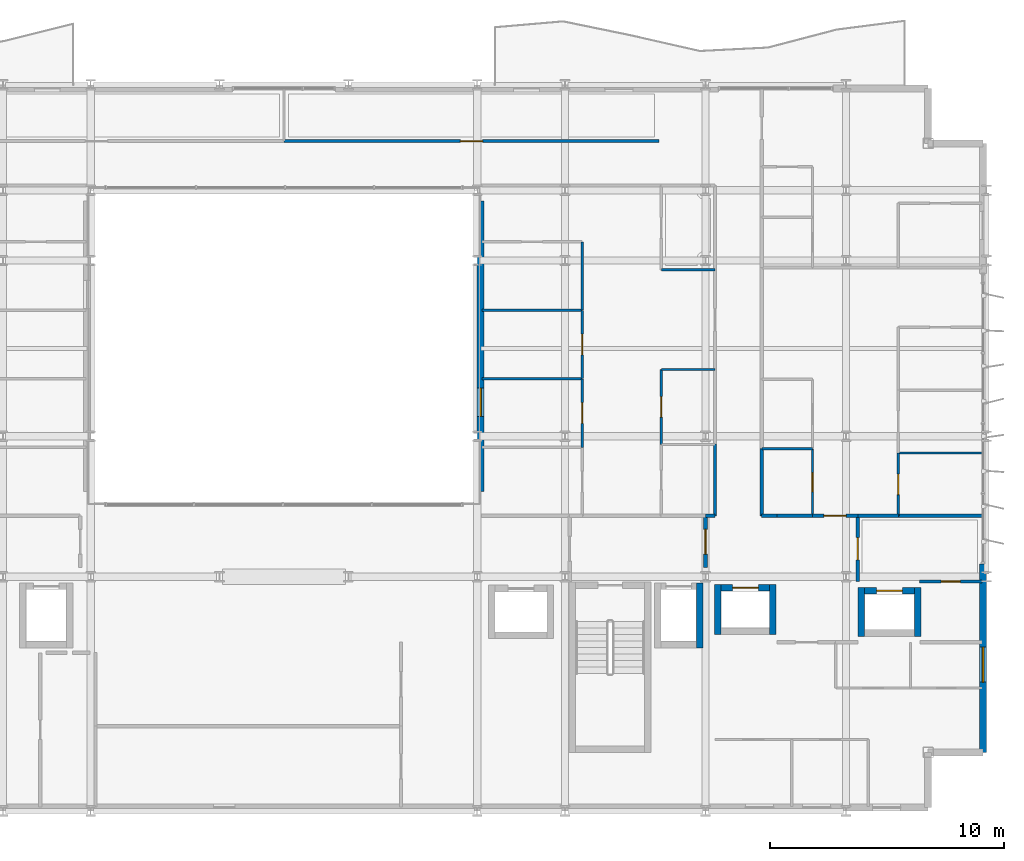
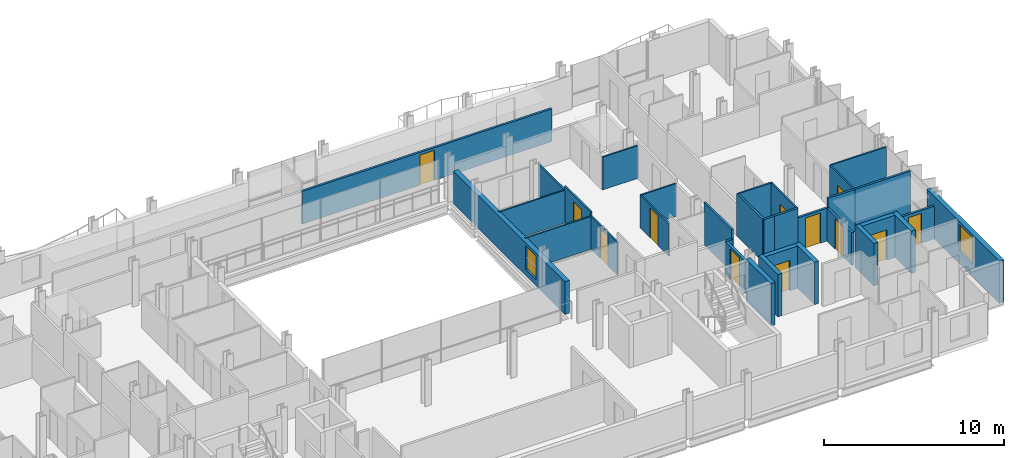
# One storey, part 31 of 38: 33 walls, 12 doors, 2 windows, 14 openings.
"""IFC4 building model written with IfcOpenShell, lengths in metres."""

from ifc_helpers import new_model, si_unit, direction, frame, frame_2d, origin, place, context, subcontext, project, spatial, rectangle, extrude, material, layer, layer_set, type_object, element, fill, save


model = new_model("IFC4")

# Units and contexts
model_context = context("Model", 3, precision=1e-05, world=origin(), true_north=direction((0.0, 1.0)))
body_context = subcontext(model_context, "Body", "Model", "MODEL_VIEW")
ifc_project = project(units=[si_unit("LENGTHUNIT", "METRE"), si_unit("AREAUNIT", "SQUARE_METRE"), si_unit("VOLUMEUNIT", "CUBIC_METRE"), si_unit("PLANEANGLEUNIT", "RADIAN"), si_unit("MASSUNIT", "GRAM", prefix="KILO")], contexts=[model_context])

# Site, building, storey
site_placement = place(None, origin())
site = spatial("IfcSite", under=ifc_project, at=site_placement, CompositionType="ELEMENT")
building_placement = place(site_placement, origin())
building = spatial("IfcBuilding", under=site, at=building_placement, Name="Brevholm Reach", CompositionType="ELEMENT")
storey_placement = place(building_placement, frame((0.0, 0.0, 71.39990234375)))
storey = spatial("IfcBuildingStorey", under=building, at=storey_placement, Name="L20", CompositionType="ELEMENT", Elevation=71.39990234375)

# Walls
ifc_material_1 = material(Name="Concrete C50/60", Category="concrete")
ifc_layer_1 = layer(ifc_material_1, 0.280029296875)
ifc_layer_set_1 = layer_set([ifc_layer_1], Name="Concrete C50/60")
wall_type_1 = type_object("IfcWallType", Name="WAL-COR-280", PredefinedType="SHEAR", material=ifc_layer_set_1)
wall_1_placement = place(storey_placement, frame((47.75, 6.9599609375, 0.0), z_axis=(0.0, 0.0, 1.0), x_axis=(0.0, 1.0, 0.0)))
element("IfcWall", 1, at=wall_1_placement, inside=storey, type_object=wall_type_1, Name="L20 Lift FFL-2 Shaft Wall E", PredefinedType="SHEAR", context=body_context, shape_type="SweptSolid", body=[
    extrude(rectangle(XDim=2.780029296875, YDim=0.280029296875, at=frame_2d((1.39013671875, 0.0))), origin(), (0.0, 0.0, 1.0), 2.8701171875),
])
for number, where, z_axis, x_axis, name in (
    (2, (48.52490234375, 7.534912109375, 0.0), (0.0, 0.0, 1.0), (0.0, 1.0, 0.0), "L20 Lift PL-L1 Shaft Wall W"),
    (3, (50.875, 7.534912109375, 0.0), (0.0, 0.0, 1.0), (0.0, 1.0, 0.0), "L20 Lift PL-L1 Shaft Wall E"),
):
    element("IfcWall", number, at=place(storey_placement, frame(where, z_axis=z_axis, x_axis=x_axis)), inside=storey, type_object=wall_type_1, Name=name, PredefinedType="SHEAR", context=body_context, shape_type="SweptSolid", body=[
        extrude(rectangle(XDim=2.130126953125, YDim=0.280029296875, at=frame_2d((1.06494140625, 0.0))), origin(), (0.0, 0.0, 1.0), 2.8701171875),
    ])

# Wall, opening, door
wall_2_placement = place(storey_placement, frame((48.6650390625, 9.52490234375, 0.0), z_axis=(0.0, 0.0, 1.0), x_axis=(1.0, 0.0, 0.0)))
wall_2 = element("IfcWall", 4, at=wall_2_placement, inside=storey, type_object=wall_type_1, Name="L20 Lift PL-L1 Shaft Wall N", PredefinedType="SHEAR", context=body_context, shape_type="SweptSolid", body=[
    extrude(rectangle(XDim=2.070068359375, YDim=0.280029296875, at=frame_2d((1.03515625, 0.0))), origin(), (0.0, 0.0, 1.0), 2.8701171875),
])
opening_1_placement = place(wall_2_placement, frame((0.485107421875, 0.0, 0.0)))
opening_1 = element("IfcOpeningElement", 5, at=opening_1_placement, cuts=wall_2, Name="Opening LD-PL-L1", PredefinedType="OPENING", context=body_context, shape_type="SweptSolid", body=[
    extrude(rectangle(XDim=1.10009765625, YDim=2.06005859375, at=frame_2d((0.550048828125, 1.030029296875))), frame((0.0, 0.14990234375, 0.0), z_axis=(0.0, -1.0, 0.0), x_axis=(1.0, 0.0, 0.0)), (0.0, 0.0, 1.0), 0.300048828125),
])
ifc_material_2 = material(Name="Brushed Stainless Steel Fire-Rated Sliding Lift Door", Category="steel")
door_type_1 = type_object("IfcDoorType", Name="DOR-LFT-1100", OperationType="NOTDEFINED", PredefinedType="DOOR", material=ifc_material_2)
door_1_placement = place(opening_1_placement, origin())
door_1 = element("IfcDoor", 6, at=door_1_placement, inside=storey, type_object=door_type_1, Name="L20 Lift PL-L1 Sliding Landing Door", OperationType="SLIDING_TO_RIGHT", OverallHeight=2.06005859375, OverallWidth=1.10009765625, PredefinedType="DOOR", context=body_context, shape_type="SweptSolid", body=[
    extrude(rectangle(XDim=1.10009765625, YDim=2.06005859375, at=frame_2d((0.550048828125, 1.030029296875))), frame((0.0, 0.02490234375, 0.0), z_axis=(0.0, -1.0, 0.0), x_axis=(1.0, 0.0, 0.0)), (0.0, 0.0, 1.0), 0.050048828125),
])
fill(opening_1, door_1)

# Walls
for number, where, z_axis, x_axis, name in (
    (7, (54.64990234375, 7.4599609375, 0.0), (0.0, 0.0, 1.0), (0.0, 1.0, 0.0), "L20 Lift PL-L2 Shaft Wall W"),
    (8, (57.050048828125, 7.4599609375, 0.0), (0.0, 0.0, 1.0), (0.0, 1.0, 0.0), "L20 Lift PL-L2 Shaft Wall E"),
):
    element("IfcWall", number, at=place(storey_placement, frame(where, z_axis=z_axis, x_axis=x_axis)), inside=storey, type_object=wall_type_1, Name=name, PredefinedType="SHEAR", context=body_context, shape_type="SweptSolid", body=[
        extrude(rectangle(XDim=2.080078125, YDim=0.280029296875, at=frame_2d((1.0400390625, 0.0))), origin(), (0.0, 0.0, 1.0), 2.8701171875),
    ])

# Wall, opening, door
wall_3_placement = place(storey_placement, frame((54.7900390625, 9.39990234375, 0.0), z_axis=(0.0, 0.0, 1.0), x_axis=(1.0, 0.0, 0.0)))
wall_3 = element("IfcWall", 9, at=wall_3_placement, inside=storey, type_object=wall_type_1, Name="L20 Lift PL-L2 Shaft Wall N", PredefinedType="SHEAR", context=body_context, shape_type="SweptSolid", body=[
    extrude(rectangle(XDim=2.119873046875, YDim=0.280029296875, at=frame_2d((1.06005859375, 0.0))), origin(), (0.0, 0.0, 1.0), 2.8701171875),
])
opening_2_placement = place(wall_3_placement, frame((0.510009765625, 0.0, 0.0)))
opening_2 = element("IfcOpeningElement", 10, at=opening_2_placement, cuts=wall_3, Name="Opening LD-PL-L2", PredefinedType="OPENING", context=body_context, shape_type="SweptSolid", body=[
    extrude(rectangle(XDim=1.10009765625, YDim=2.06005859375, at=frame_2d((0.550048828125, 1.030029296875))), frame((0.0, 0.14990234375, 0.0), z_axis=(0.0, -1.0, 0.0), x_axis=(1.0, 0.0, 0.0)), (0.0, 0.0, 1.0), 0.300048828125),
])
door_2_placement = place(opening_2_placement, origin())
door_2 = element("IfcDoor", 11, at=door_2_placement, inside=storey, type_object=door_type_1, Name="L20 Lift PL-L2 Sliding Landing Door", OperationType="SLIDING_TO_LEFT", OverallHeight=2.06005859375, OverallWidth=1.10009765625, PredefinedType="DOOR", context=body_context, shape_type="SweptSolid", body=[
    extrude(rectangle(XDim=1.10009765625, YDim=2.06005859375, at=frame_2d((0.550048828125, 1.030029296875))), frame((0.0, 0.02490234375, 0.0), z_axis=(0.0, -1.0, 0.0), x_axis=(1.0, 0.0, 0.0)), (0.0, 0.0, 1.0), 0.050048828125),
])
fill(opening_2, door_2)

# Wall, opening, window
ifc_material_3 = material(Name="Concrete C40/50", Category="concrete")
ifc_layer_2 = layer(ifc_material_3, 0.300048828125)
ifc_layer_set_2 = layer_set([ifc_layer_2], Name="Concrete C40/50")
wall_type_2 = type_object("IfcWallType", Name="WAL-EXT-300", PredefinedType="STANDARD", material=ifc_layer_set_2)
wall_4_placement = place(storey_placement, frame((59.85009765625, 2.5, 0.0), z_axis=(0.0, 0.0, 1.0), x_axis=(0.0, 1.0, 0.0)))
wall_4 = element("IfcWall", 12, at=wall_4_placement, inside=storey, type_object=wall_type_2, Name="L20 Facade Wall WAL-L20-E-S", PredefinedType="STANDARD", context=body_context, shape_type="SweptSolid", body=[
    extrude(rectangle(XDim=8.050048828125, YDim=0.300048828125, at=frame_2d((4.02490234375, 0.0))), origin(), (0.0, 0.0, 1.0), 2.8701171875),
])
opening_3_placement = place(wall_4_placement, frame((3.0, 0.0, 0.85009765625)))
opening_3 = element("IfcOpeningElement", 13, at=opening_3_placement, cuts=wall_4, Name="Opening WN-05", PredefinedType="OPENING", context=body_context, shape_type="SweptSolid", body=[
    extrude(rectangle(XDim=1.5, YDim=1.800048828125, at=frame_2d((0.75, 0.89990234375))), frame((0.0, 0.159912109375, 0.0), z_axis=(0.0, -1.0, 0.0), x_axis=(1.0, 0.0, 0.0)), (0.0, 0.0, 1.0), 0.320068359375),
])
ifc_material_4 = material(Name="Dark Anodised Aluminium and Solar-Control IGU Glass", Category="aluminium")
window_type_1 = type_object("IfcWindowType", Name="WIN-RES-1500", PartitioningType="SINGLE_PANEL", PredefinedType="WINDOW", material=ifc_material_4)
window_1_placement = place(opening_3_placement, origin())
window_1 = element("IfcWindow", 14, at=window_1_placement, inside=storey, type_object=window_type_1, Name="L20 Window WIN-L20-ES-1", OverallHeight=1.800048828125, OverallWidth=1.5, PartitioningType="SINGLE_PANEL", PredefinedType="WINDOW", context=body_context, shape_type="SweptSolid", body=[
    extrude(rectangle(XDim=1.5, YDim=1.800048828125, at=frame_2d((0.75, 0.89990234375))), frame((0.0, 0.030029296875, 0.0), z_axis=(0.0, -1.0, 0.0), x_axis=(1.0, 0.0, 0.0)), (0.0, 0.0, 1.0), 0.06005859375),
])
fill(opening_3, window_1)

wall_5_placement = place(storey_placement, frame((38.39990234375, 13.64990234375, 0.0), z_axis=(0.0, 0.0, 1.0), x_axis=(0.0, 1.0, 0.0)))
wall_5 = element("IfcWall", 15, at=wall_5_placement, inside=storey, type_object=wall_type_2, Name="L20 Facade Wall WAL-L20-AT-E", PredefinedType="STANDARD", context=body_context, shape_type="SweptSolid", body=[
    extrude(rectangle(XDim=12.400146484375, YDim=0.300048828125, at=frame_2d((6.2001953125, 0.0))), origin(), (0.0, 0.0, 1.0), 2.224853515625),
])
opening_4_placement = place(wall_5_placement, frame((3.199951171875, 0.0, 0.405029296875)))
opening_4 = element("IfcOpeningElement", 16, at=opening_4_placement, cuts=wall_5, Name="Opening WN-08", PredefinedType="OPENING", context=body_context, shape_type="SweptSolid", body=[
    extrude(rectangle(XDim=1.199951171875, YDim=1.60009765625, at=frame_2d((0.60009765625, 0.800048828125))), frame((0.0, 0.159912109375, 0.0), z_axis=(0.0, -1.0, 0.0), x_axis=(1.0, 0.0, 0.0)), (0.0, 0.0, 1.0), 0.320068359375),
])
ifc_material_5 = material(Name="Dark Anodised Aluminium and Solar-Control IGU Glass", Category="aluminium")
window_type_2 = type_object("IfcWindowType", Name="WIN-RES-1200", PartitioningType="SINGLE_PANEL", PredefinedType="WINDOW", material=ifc_material_5)
window_2_placement = place(opening_4_placement, origin())
window_2 = element("IfcWindow", 17, at=window_2_placement, inside=storey, type_object=window_type_2, Name="L20 Window WIN-L20-AT-E1", OverallHeight=1.60009765625, OverallWidth=1.199951171875, PartitioningType="SINGLE_PANEL", PredefinedType="WINDOW", context=body_context, shape_type="SweptSolid", body=[
    extrude(rectangle(XDim=1.199951171875, YDim=1.60009765625, at=frame_2d((0.60009765625, 0.800048828125))), frame((0.0, 0.030029296875, 0.0), z_axis=(0.0, -1.0, 0.0), x_axis=(1.0, 0.0, 0.0)), (0.0, 0.0, 1.0), 0.06005859375),
])
fill(opening_4, window_2)

# Wall
ifc_material_6 = material(Name="Moisture-Resistant Acoustic Gypsum Stud Partition 100 mm", Category="gypsum")
ifc_layer_3 = layer(ifc_material_6, 0.10009765625)
ifc_layer_set_3 = layer_set([ifc_layer_3], Name="Moisture-Resistant Acoustic Gypsum Stud Partition 100 mm")
wall_type_3 = type_object("IfcWallType", Name="WAL-PRT-100", PredefinedType="PARTITIONING", material=ifc_layer_set_3)
wall_6_placement = place(storey_placement, frame((46.112060546875, 18.85009765625, 0.0), z_axis=(0.0, 0.0, 1.0), x_axis=(1.0, 0.0, 0.0)))
element("IfcWall", 18, at=wall_6_placement, inside=storey, type_object=wall_type_3, Name="L20 Internal Partition 122", PredefinedType="PARTITIONING", context=body_context, shape_type="SweptSolid", body=[
    extrude(rectangle(XDim=2.283935546875, YDim=0.10009765625, at=frame_2d((1.14208984375, 0.0))), origin(), (0.0, 0.0, 1.0), 2.224853515625),
])

# Wall, opening, door
wall_7_placement = place(storey_placement, frame((46.112060546875, 15.654052734375, 0.0), z_axis=(0.0, 0.0, 1.0), x_axis=(0.0, 1.0, 0.0)))
wall_7 = element("IfcWall", 19, at=wall_7_placement, inside=storey, type_object=wall_type_3, Name="L20 Internal Partition 123", PredefinedType="PARTITIONING", context=body_context, shape_type="SweptSolid", body=[
    extrude(rectangle(XDim=3.196044921875, YDim=0.10009765625, at=frame_2d((1.59814453125, 0.0))), origin(), (0.0, 0.0, 1.0), 2.224853515625),
])
opening_5_placement = place(wall_7_placement, frame((1.157958984375, 0.0, 0.0)))
opening_5 = element("IfcOpeningElement", 20, at=opening_5_placement, cuts=wall_7, Name="Opening ID-01", PredefinedType="OPENING", context=body_context, shape_type="SweptSolid", body=[
    extrude(rectangle(XDim=0.8798828125, YDim=2.0400390625, at=frame_2d((0.43994140625, 1.02001953125))), frame((0.0, 0.06005859375, 0.0), z_axis=(0.0, -1.0, 0.0), x_axis=(1.0, 0.0, 0.0)), (0.0, 0.0, 1.0), 0.1201171875),
])
ifc_material_7 = material(Name="Lacquered Ash Solid-Core Acoustic Internal Door", Category="timber")
door_type_2 = type_object("IfcDoorType", Name="DOR-INT-880", OperationType="NOTDEFINED", PredefinedType="DOOR", material=ifc_material_7)
door_3_placement = place(opening_5_placement, origin())
door_3 = element("IfcDoor", 21, at=door_3_placement, inside=storey, type_object=door_type_2, Name="L20 Internal Door 046", OperationType="SINGLE_SWING_LEFT", OverallHeight=2.0400390625, OverallWidth=0.8798828125, PredefinedType="DOOR", context=body_context, shape_type="SweptSolid", body=[
    extrude(rectangle(XDim=0.8798828125, YDim=2.0400390625, at=frame_2d((0.43994140625, 1.02001953125))), frame((0.0, 0.02490234375, 0.0), z_axis=(0.0, -1.0, 0.0), x_axis=(1.0, 0.0, 0.0)), (0.0, 0.0, 1.0), 0.050048828125),
])
fill(opening_5, door_3)

# Walls
wall_8_placement = place(storey_placement, frame((46.112060546875, 23.10009765625, 0.0), z_axis=(0.0, 0.0, 1.0), x_axis=(1.0, 0.0, 0.0)))
element("IfcWall", 22, at=wall_8_placement, inside=storey, type_object=wall_type_3, Name="L20 Internal Partition 124", PredefinedType="PARTITIONING", context=body_context, shape_type="SweptSolid", body=[
    extrude(rectangle(XDim=2.283935546875, YDim=0.10009765625, at=frame_2d((1.14208984375, 0.0))), origin(), (0.0, 0.0, 1.0), 2.224853515625),
])
wall_9_placement = place(storey_placement, frame((38.449951171875, 18.449951171875, 0.0), z_axis=(0.0, 0.0, 1.0), x_axis=(1.0, 0.0, 0.0)))
element("IfcWall", 23, at=wall_9_placement, inside=storey, type_object=wall_type_3, Name="L20 Internal Partition 128", PredefinedType="PARTITIONING", context=body_context, shape_type="SweptSolid", body=[
    extrude(rectangle(XDim=4.278076171875, YDim=0.10009765625, at=frame_2d((2.13916015625, 0.0))), origin(), (0.0, 0.0, 1.0), 2.224853515625),
])

# Wall, opening, door
wall_10_placement = place(storey_placement, frame((42.72802734375, 15.529052734375, 0.0), z_axis=(0.0, 0.0, 1.0), x_axis=(0.0, 1.0, 0.0)))
wall_10 = element("IfcWall", 24, at=wall_10_placement, inside=storey, type_object=wall_type_3, Name="L20 Internal Partition 129", PredefinedType="PARTITIONING", context=body_context, shape_type="SweptSolid", body=[
    extrude(rectangle(XDim=2.9208984375, YDim=0.10009765625, at=frame_2d((1.46044921875, 0.0))), origin(), (0.0, 0.0, 1.0), 2.224853515625),
])
opening_6_placement = place(wall_10_placement, frame((1.0205078125, 0.0, 0.0)))
opening_6 = element("IfcOpeningElement", 25, at=opening_6_placement, cuts=wall_10, Name="Opening ID-01", PredefinedType="OPENING", context=body_context, shape_type="SweptSolid", body=[
    extrude(rectangle(XDim=0.8798828125, YDim=2.0400390625, at=frame_2d((0.43994140625, 1.02001953125))), frame((0.0, 0.06005859375, 0.0), z_axis=(0.0, -1.0, 0.0), x_axis=(1.0, 0.0, 0.0)), (0.0, 0.0, 1.0), 0.1201171875),
])
door_4_placement = place(opening_6_placement, origin())
door_4 = element("IfcDoor", 26, at=door_4_placement, inside=storey, type_object=door_type_2, Name="L20 Internal Door 049", OperationType="SINGLE_SWING_RIGHT", OverallHeight=2.0400390625, OverallWidth=0.8798828125, PredefinedType="DOOR", context=body_context, shape_type="SweptSolid", body=[
    extrude(rectangle(XDim=0.8798828125, YDim=2.0400390625, at=frame_2d((0.43994140625, 1.02001953125))), frame((0.0, 0.02490234375, 0.0), z_axis=(0.0, -1.0, 0.0), x_axis=(1.0, 0.0, 0.0)), (0.0, 0.0, 1.0), 0.050048828125),
])
fill(opening_6, door_4)

# Wall
wall_11_placement = place(storey_placement, frame((38.449951171875, 21.375, 0.0), z_axis=(0.0, 0.0, 1.0), x_axis=(1.0, 0.0, 0.0)))
element("IfcWall", 27, at=wall_11_placement, inside=storey, type_object=wall_type_3, Name="L20 Internal Partition 130", PredefinedType="PARTITIONING", context=body_context, shape_type="SweptSolid", body=[
    extrude(rectangle(XDim=4.278076171875, YDim=0.10009765625, at=frame_2d((2.13916015625, 0.0))), origin(), (0.0, 0.0, 1.0), 2.224853515625),
])

# Wall, opening, door
wall_12_placement = place(storey_placement, frame((42.72802734375, 18.4541015625, 0.0), z_axis=(0.0, 0.0, 1.0), x_axis=(0.0, 1.0, 0.0)))
wall_12 = element("IfcWall", 28, at=wall_12_placement, inside=storey, type_object=wall_type_3, Name="L20 Internal Partition 131", PredefinedType="PARTITIONING", context=body_context, shape_type="SweptSolid", body=[
    extrude(rectangle(XDim=2.9208984375, YDim=0.10009765625, at=frame_2d((1.46044921875, 0.0))), origin(), (0.0, 0.0, 1.0), 2.489990234375),
])
opening_7_placement = place(wall_12_placement, frame((1.0205078125, 0.0, 0.0)))
opening_7 = element("IfcOpeningElement", 29, at=opening_7_placement, cuts=wall_12, Name="Opening ID-01", PredefinedType="OPENING", context=body_context, shape_type="SweptSolid", body=[
    extrude(rectangle(XDim=0.8798828125, YDim=2.0400390625, at=frame_2d((0.43994140625, 1.02001953125))), frame((0.0, 0.06005859375, 0.0), z_axis=(0.0, -1.0, 0.0), x_axis=(1.0, 0.0, 0.0)), (0.0, 0.0, 1.0), 0.1201171875),
])
door_5_placement = place(opening_7_placement, origin())
door_5 = element("IfcDoor", 30, at=door_5_placement, inside=storey, type_object=door_type_2, Name="L20 Internal Door 050", OperationType="SINGLE_SWING_LEFT", OverallHeight=2.0400390625, OverallWidth=0.8798828125, PredefinedType="DOOR", context=body_context, shape_type="SweptSolid", body=[
    extrude(rectangle(XDim=0.8798828125, YDim=2.0400390625, at=frame_2d((0.43994140625, 1.02001953125))), frame((0.0, 0.02490234375, 0.0), z_axis=(0.0, -1.0, 0.0), x_axis=(1.0, 0.0, 0.0)), (0.0, 0.0, 1.0), 0.050048828125),
])
fill(opening_7, door_5)

# Walls
wall_13_placement = place(storey_placement, frame((42.72802734375, 21.37890625, 0.0), z_axis=(0.0, 0.0, 1.0), x_axis=(0.0, 1.0, 0.0)))
element("IfcWall", 31, at=wall_13_placement, inside=storey, type_object=wall_type_3, Name="L20 Internal Partition 132", PredefinedType="PARTITIONING", context=body_context, shape_type="SweptSolid", body=[
    extrude(rectangle(XDim=2.921142578125, YDim=0.10009765625, at=frame_2d((1.46044921875, 0.0))), origin(), (0.0, 0.0, 1.0), 2.224853515625),
])
wall_14_placement = place(storey_placement, frame((50.404052734375, 15.4619140625, 0.0), z_axis=(0.0, 0.0, 1.0), x_axis=(1.0, 0.0, 0.0)))
element("IfcWall", 32, at=wall_14_placement, inside=storey, type_object=wall_type_3, Name="L20 Internal Partition 134", PredefinedType="PARTITIONING", context=body_context, shape_type="SweptSolid", body=[
    extrude(rectangle(XDim=2.157958984375, YDim=0.10009765625, at=frame_2d((1.0791015625, 0.0))), origin(), (0.0, 0.0, 1.0), 2.8701171875),
])

# Wall, opening, door
wall_15_placement = place(storey_placement, frame((52.56201171875, 12.60400390625, 0.0), z_axis=(0.0, 0.0, 1.0), x_axis=(0.0, 1.0, 0.0)))
wall_15 = element("IfcWall", 33, at=wall_15_placement, inside=storey, type_object=wall_type_3, Name="L20 Internal Partition 135", PredefinedType="PARTITIONING", context=body_context, shape_type="SweptSolid", body=[
    extrude(rectangle(XDim=2.85791015625, YDim=0.10009765625, at=frame_2d((1.428955078125, 0.0))), origin(), (0.0, 0.0, 1.0), 2.8701171875),
])
opening_8_placement = place(wall_15_placement, frame((1.01904296875, 0.0, 0.0)))
opening_8 = element("IfcOpeningElement", 34, at=opening_8_placement, cuts=wall_15, Name="Opening ID-03", PredefinedType="OPENING", context=body_context, shape_type="SweptSolid", body=[
    extrude(rectangle(XDim=0.820068359375, YDim=2.02001953125, at=frame_2d((0.41015625, 1.010009765625))), frame((0.0, 0.06005859375, 0.0), z_axis=(0.0, -1.0, 0.0), x_axis=(1.0, 0.0, 0.0)), (0.0, 0.0, 1.0), 0.1201171875),
])
ifc_material_8 = material(Name="Moisture-Resistant Painted Timber Internal Bathroom Door", Category="wood")
door_type_3 = type_object("IfcDoorType", Name="DOR-BATH-820", OperationType="NOTDEFINED", PredefinedType="DOOR", material=ifc_material_8)
door_6_placement = place(opening_8_placement, origin())
door_6 = element("IfcDoor", 35, at=door_6_placement, inside=storey, type_object=door_type_3, Name="L20 Internal Door 052", OperationType="SINGLE_SWING_LEFT", OverallHeight=2.02001953125, OverallWidth=0.820068359375, PredefinedType="DOOR", context=body_context, shape_type="SweptSolid", body=[
    extrude(rectangle(XDim=0.820068359375, YDim=2.02001953125, at=frame_2d((0.41015625, 1.010009765625))), frame((0.0, 0.02490234375, 0.0), z_axis=(0.0, -1.0, 0.0), x_axis=(1.0, 0.0, 0.0)), (0.0, 0.0, 1.0), 0.050048828125),
])
fill(opening_8, door_6)

# Wall
wall_16_placement = place(storey_placement, frame((56.22802734375, 15.284912109375, 0.0), z_axis=(0.0, 0.0, 1.0), x_axis=(1.0, 0.0, 0.0)))
element("IfcWall", 36, at=wall_16_placement, inside=storey, type_object=wall_type_3, Name="L20 Internal Partition 138", PredefinedType="PARTITIONING", context=body_context, shape_type="SweptSolid", body=[
    extrude(rectangle(XDim=3.572021484375, YDim=0.10009765625, at=frame_2d((1.7861328125, 0.0))), origin(), (0.0, 0.0, 1.0), 2.8701171875),
])

# Wall, opening, door
wall_17_placement = place(storey_placement, frame((56.22802734375, 12.60400390625, 0.0), z_axis=(0.0, 0.0, 1.0), x_axis=(0.0, 1.0, 0.0)))
wall_17 = element("IfcWall", 37, at=wall_17_placement, inside=storey, type_object=wall_type_3, Name="L20 Internal Partition 139", PredefinedType="PARTITIONING", context=body_context, shape_type="SweptSolid", body=[
    extrude(rectangle(XDim=2.680908203125, YDim=0.10009765625, at=frame_2d((1.34033203125, 0.0))), origin(), (0.0, 0.0, 1.0), 2.8701171875),
])
opening_9_placement = place(wall_17_placement, frame((0.900390625, 0.0, 0.0)))
opening_9 = element("IfcOpeningElement", 38, at=opening_9_placement, cuts=wall_17, Name="Opening ID-01", PredefinedType="OPENING", context=body_context, shape_type="SweptSolid", body=[
    extrude(rectangle(XDim=0.8798828125, YDim=2.0400390625, at=frame_2d((0.43994140625, 1.02001953125))), frame((0.0, 0.06005859375, 0.0), z_axis=(0.0, -1.0, 0.0), x_axis=(1.0, 0.0, 0.0)), (0.0, 0.0, 1.0), 0.1201171875),
])
door_7_placement = place(opening_9_placement, origin())
door_7 = element("IfcDoor", 39, at=door_7_placement, inside=storey, type_object=door_type_2, Name="L20 Internal Door 054", OperationType="SINGLE_SWING_LEFT", OverallHeight=2.0400390625, OverallWidth=0.8798828125, PredefinedType="DOOR", context=body_context, shape_type="SweptSolid", body=[
    extrude(rectangle(XDim=0.8798828125, YDim=2.0400390625, at=frame_2d((0.43994140625, 1.02001953125))), frame((0.0, 0.02490234375, 0.0), z_axis=(0.0, -1.0, 0.0), x_axis=(1.0, 0.0, 0.0)), (0.0, 0.0, 1.0), 0.050048828125),
])
fill(opening_9, door_7)

ifc_material_9 = material(Name="Twin-Stud Acoustic Fire-Rated Gypsum Partition 140 mm", Category="gypsum")
ifc_layer_4 = layer(ifc_material_9, 0.139892578125)
ifc_layer_set_4 = layer_set([ifc_layer_4], Name="Twin-Stud Acoustic Fire-Rated Gypsum Partition 140 mm")
wall_type_4 = type_object("IfcWallType", Name="WAL-PRT-140", PredefinedType="PARTITIONING", material=ifc_layer_set_4)
wall_18_placement = place(storey_placement, frame((54.5, 9.788818359375, 0.0), z_axis=(0.0, 0.0, 1.0), x_axis=(0.0, 1.0, 0.0)))
wall_18 = element("IfcWall", 40, at=wall_18_placement, inside=storey, type_object=wall_type_4, Name="L20 Internal Partition 009", PredefinedType="PARTITIONING", context=body_context, shape_type="SweptSolid", body=[
    extrude(rectangle(XDim=2.811279296875, YDim=0.139892578125, at=frame_2d((1.40576171875, 0.0))), origin(), (0.0, 0.0, 1.0), 2.224853515625),
])
opening_10_placement = place(wall_18_placement, frame((0.9306640625, 0.0, 0.0)))
opening_10 = element("IfcOpeningElement", 41, at=opening_10_placement, cuts=wall_18, Name="Opening ID-30", PredefinedType="OPENING", context=body_context, shape_type="SweptSolid", body=[
    extrude(rectangle(XDim=0.949951171875, YDim=2.050048828125, at=frame_2d((0.47509765625, 1.02490234375))), frame((0.0, 0.079833984375, 0.0), z_axis=(0.0, -1.0, 0.0), x_axis=(1.0, 0.0, 0.0)), (0.0, 0.0, 1.0), 0.159912109375),
])
ifc_material_10 = material(Name="European Oak Veneered Solid-Core Fire Entrance Door", Category="timber")
door_type_4 = type_object("IfcDoorType", Name="DOR-FLT-FD30S", OperationType="NOTDEFINED", PredefinedType="DOOR", material=ifc_material_10)
door_8_placement = place(opening_10_placement, origin())
door_8 = element("IfcDoor", 42, at=door_8_placement, inside=storey, type_object=door_type_4, Name="L20 Internal Door 005", OperationType="SINGLE_SWING_RIGHT", OverallHeight=2.050048828125, OverallWidth=0.949951171875, PredefinedType="DOOR", context=body_context, shape_type="SweptSolid", body=[
    extrude(rectangle(XDim=0.949951171875, YDim=2.050048828125, at=frame_2d((0.47509765625, 1.02490234375))), frame((0.0, 0.02490234375, 0.0), z_axis=(0.0, -1.0, 0.0), x_axis=(1.0, 0.0, 0.0)), (0.0, 0.0, 1.0), 0.050048828125),
])
fill(opening_10, door_8)

# Wall
wall_19_placement = place(storey_placement, frame((51.050048828125, 12.60009765625, 0.0), z_axis=(0.0, 0.0, 1.0), x_axis=(1.0, 0.0, 0.0)))
element("IfcWall", 43, at=wall_19_placement, inside=storey, type_object=wall_type_4, Name="L20 Internal Partition 012", PredefinedType="PARTITIONING", context=body_context, shape_type="SweptSolid", body=[
    extrude(rectangle(XDim=1.523193359375, YDim=0.139892578125, at=frame_2d((0.76171875, 0.0))), origin(), (0.0, 0.0, 1.0), 2.8701171875),
])

# Wall, opening, door
wall_20_placement = place(storey_placement, frame((52.5546875, 12.60009765625, 0.0), z_axis=(0.0, 0.0, 1.0), x_axis=(1.0, 0.0, 0.0)))
wall_20 = element("IfcWall", 44, at=wall_20_placement, inside=storey, type_object=wall_type_4, Name="L20 Internal Partition 013", PredefinedType="PARTITIONING", context=body_context, shape_type="SweptSolid", body=[
    extrude(rectangle(XDim=1.9453125, YDim=0.139892578125, at=frame_2d((0.97265625, 0.0))), origin(), (0.0, 0.0, 1.0), 2.224853515625),
])
opening_11_placement = place(wall_20_placement, frame((0.497802734375, 0.0, 0.0)))
opening_11 = element("IfcOpeningElement", 45, at=opening_11_placement, cuts=wall_20, Name="Opening ID-30", PredefinedType="OPENING", context=body_context, shape_type="SweptSolid", body=[
    extrude(rectangle(XDim=0.949951171875, YDim=2.050048828125, at=frame_2d((0.47509765625, 1.02490234375))), frame((0.0, 0.079833984375, 0.0), z_axis=(0.0, -1.0, 0.0), x_axis=(1.0, 0.0, 0.0)), (0.0, 0.0, 1.0), 0.159912109375),
])
door_9_placement = place(opening_11_placement, origin())
door_9 = element("IfcDoor", 46, at=door_9_placement, inside=storey, type_object=door_type_4, Name="L20 Internal Door 007", OperationType="SINGLE_SWING_RIGHT", OverallHeight=2.050048828125, OverallWidth=0.949951171875, PredefinedType="DOOR", context=body_context, shape_type="SweptSolid", body=[
    extrude(rectangle(XDim=0.949951171875, YDim=2.050048828125, at=frame_2d((0.47509765625, 1.02490234375))), frame((0.0, 0.02490234375, 0.0), z_axis=(0.0, -1.0, 0.0), x_axis=(1.0, 0.0, 0.0)), (0.0, 0.0, 1.0), 0.050048828125),
])
fill(opening_11, door_9)

# Walls
wall_21_placement = place(storey_placement, frame((48.00390625, 12.60009765625, 0.0), z_axis=(0.0, 0.0, 1.0), x_axis=(1.0, 0.0, 0.0)))
element("IfcWall", 47, at=wall_21_placement, inside=storey, type_object=wall_type_4, Name="L20 Internal Partition 032", PredefinedType="PARTITIONING", context=body_context, shape_type="SweptSolid", body=[
    extrude(rectangle(XDim=0.4033203125, YDim=0.139892578125, at=frame_2d((0.20166015625, 0.0))), origin(), (0.0, 0.0, 1.0), 2.224853515625),
])
wall_22_placement = place(storey_placement, frame((50.392578125, 12.60009765625, 0.0), z_axis=(0.0, 0.0, 1.0), x_axis=(1.0, 0.0, 0.0)))
element("IfcWall", 48, at=wall_22_placement, inside=storey, type_object=wall_type_4, Name="L20 Internal Partition 033", PredefinedType="PARTITIONING", context=body_context, shape_type="SweptSolid", body=[
    extrude(rectangle(XDim=0.6533203125, YDim=0.139892578125, at=frame_2d((0.32666015625, 0.0))), origin(), (0.0, 0.0, 1.0), 2.8701171875),
])
wall_23_placement = place(storey_placement, frame((48.39990234375, 12.60400390625, 0.0), z_axis=(0.0, 0.0, 1.0), x_axis=(0.0, 1.0, 0.0)))
element("IfcWall", 49, at=wall_23_placement, inside=storey, type_object=wall_type_4, Name="L20 Internal Partition 044", PredefinedType="PARTITIONING", context=body_context, shape_type="SweptSolid", body=[
    extrude(rectangle(XDim=3.057373046875, YDim=0.139892578125, at=frame_2d((1.52880859375, 0.0))), origin(), (0.0, 0.0, 1.0), 2.8701171875),
])
wall_24_placement = place(storey_placement, frame((50.39990234375, 12.60400390625, 0.0), z_axis=(0.0, 0.0, 1.0), x_axis=(0.0, 1.0, 0.0)))
element("IfcWall", 50, at=wall_24_placement, inside=storey, type_object=wall_type_4, Name="L20 Internal Partition 048", PredefinedType="PARTITIONING", context=body_context, shape_type="SweptSolid", body=[
    extrude(rectangle(XDim=2.869384765625, YDim=0.139892578125, at=frame_2d((1.4345703125, 0.0))), origin(), (0.0, 0.0, 1.0), 2.8701171875),
])

# Wall, opening, door
wall_25_placement = place(storey_placement, frame((29.99267578125, 28.60009765625, 0.0), z_axis=(0.0, 0.0, 1.0), x_axis=(1.0, 0.0, 0.0)))
wall_25 = element("IfcWall", 51, at=wall_25_placement, inside=storey, type_object=wall_type_4, Name="L20 Internal Partition 059", PredefinedType="PARTITIONING", context=body_context, shape_type="SweptSolid", body=[
    extrude(rectangle(XDim=16.0185546875, YDim=0.139892578125, at=frame_2d((8.00927734375, 0.0))), origin(), (0.0, 0.0, 1.0), 2.224853515625),
])
opening_12_placement = place(wall_25_placement, frame((7.5341796875, 0.0, 0.0)))
opening_12 = element("IfcOpeningElement", 52, at=opening_12_placement, cuts=wall_25, Name="Opening ID-30", PredefinedType="OPENING", context=body_context, shape_type="SweptSolid", body=[
    extrude(rectangle(XDim=0.949951171875, YDim=2.050048828125, at=frame_2d((0.47509765625, 1.02490234375))), frame((0.0, 0.079833984375, 0.0), z_axis=(0.0, -1.0, 0.0), x_axis=(1.0, 0.0, 0.0)), (0.0, 0.0, 1.0), 0.159912109375),
])
door_10_placement = place(opening_12_placement, origin())
door_10 = element("IfcDoor", 53, at=door_10_placement, inside=storey, type_object=door_type_4, Name="L20 Internal Door 020", OperationType="SINGLE_SWING_LEFT", OverallHeight=2.050048828125, OverallWidth=0.949951171875, PredefinedType="DOOR", context=body_context, shape_type="SweptSolid", body=[
    extrude(rectangle(XDim=0.949951171875, YDim=2.050048828125, at=frame_2d((0.47509765625, 1.02490234375))), frame((0.0, 0.02490234375, 0.0), z_axis=(0.0, -1.0, 0.0), x_axis=(1.0, 0.0, 0.0)), (0.0, 0.0, 1.0), 0.050048828125),
])
fill(opening_12, door_10)

wall_26_placement = place(storey_placement, frame((57.138671875, 9.800048828125, 0.0), z_axis=(0.0, 0.0, 1.0), x_axis=(1.0, 0.0, 0.0)))
wall_26 = element("IfcWall", 54, at=wall_26_placement, inside=storey, type_object=wall_type_4, Name="L20 Internal Partition 075", PredefinedType="PARTITIONING", context=body_context, shape_type="SweptSolid", body=[
    extrude(rectangle(XDim=2.661376953125, YDim=0.139892578125, at=frame_2d((1.33056640625, 0.0))), origin(), (0.0, 0.0, 1.0), 2.224853515625),
])
opening_13_placement = place(wall_26_placement, frame((0.920654296875, 0.0, 0.0)))
opening_13 = element("IfcOpeningElement", 55, at=opening_13_placement, cuts=wall_26, Name="Opening ID-02", PredefinedType="OPENING", context=body_context, shape_type="SweptSolid", body=[
    extrude(rectangle(XDim=0.820068359375, YDim=2.02001953125, at=frame_2d((0.41015625, 1.010009765625))), frame((0.0, 0.079833984375, 0.0), z_axis=(0.0, -1.0, 0.0), x_axis=(1.0, 0.0, 0.0)), (0.0, 0.0, 1.0), 0.159912109375),
])
ifc_material_11 = material(Name="Moisture-Resistant Painted Timber Fire-Rated Riser and Service Door", Category="wood")
door_type_5 = type_object("IfcDoorType", Name="DOR-SRV-820", OperationType="NOTDEFINED", PredefinedType="DOOR", material=ifc_material_11)
door_11_placement = place(opening_13_placement, origin())
door_11 = element("IfcDoor", 56, at=door_11_placement, inside=storey, type_object=door_type_5, Name="L20 Access Door 061", OperationType="SINGLE_SWING_RIGHT", OverallHeight=2.02001953125, OverallWidth=0.820068359375, PredefinedType="DOOR", context=body_context, shape_type="SweptSolid", body=[
    extrude(rectangle(XDim=0.820068359375, YDim=2.02001953125, at=frame_2d((0.41015625, 1.010009765625))), frame((0.0, 0.02490234375, 0.0), z_axis=(0.0, -1.0, 0.0), x_axis=(1.0, 0.0, 0.0)), (0.0, 0.0, 1.0), 0.050048828125),
])
fill(opening_13, door_11)

# Walls
wall_27_placement = place(storey_placement, frame((56.216796875, 12.60009765625, 0.0), z_axis=(0.0, 0.0, 1.0), x_axis=(1.0, 0.0, 0.0)))
element("IfcWall", 57, at=wall_27_placement, inside=storey, type_object=wall_type_4, Name="L20 Internal Partition 076", PredefinedType="PARTITIONING", context=body_context, shape_type="SweptSolid", body=[
    extrude(rectangle(XDim=3.583251953125, YDim=0.139892578125, at=frame_2d((1.79150390625, 0.0))), origin(), (0.0, 0.0, 1.0), 2.8701171875),
])
wall_28_placement = place(storey_placement, frame((54.50390625, 12.60009765625, 0.0), z_axis=(0.0, 0.0, 1.0), x_axis=(1.0, 0.0, 0.0)))
element("IfcWall", 58, at=wall_28_placement, inside=storey, type_object=wall_type_4, Name="L20 Internal Partition 077", PredefinedType="PARTITIONING", context=body_context, shape_type="SweptSolid", body=[
    extrude(rectangle(XDim=1.7314453125, YDim=0.139892578125, at=frame_2d((0.86572265625, 0.0))), origin(), (0.0, 0.0, 1.0), 2.8701171875),
])

# Wall, opening, door
ifc_material_12 = material(Name="Twin-Frame Fire-Rated Gypsum Board and Mineral Wool 160 mm", Category="gypsum")
ifc_layer_5 = layer(ifc_material_12, 0.159912109375)
ifc_layer_set_5 = layer_set([ifc_layer_5], Name="Twin-Frame Fire-Rated Gypsum Board and Mineral Wool 160 mm")
wall_type_5 = type_object("IfcWallType", Name="WAL-PRT-160", PredefinedType="PARTITIONING", material=ifc_layer_set_5)
wall_29_placement = place(storey_placement, frame((48.0, 10.388671875, 0.0), z_axis=(0.0, 0.0, 1.0), x_axis=(0.0, 1.0, 0.0)))
wall_29 = element("IfcWall", 59, at=wall_29_placement, inside=storey, type_object=wall_type_5, Name="L20 Internal Partition 021", PredefinedType="PARTITIONING", context=body_context, shape_type="SweptSolid", body=[
    extrude(rectangle(XDim=2.21142578125, YDim=0.159912109375, at=frame_2d((1.105712890625, 0.0))), origin(), (0.0, 0.0, 1.0), 2.224853515625),
])
opening_14_placement = place(wall_29_placement, frame((0.58056640625, 0.0, 0.0)))
opening_14 = element("IfcOpeningElement", 60, at=opening_14_placement, cuts=wall_29, Name="Opening FD-01", PredefinedType="OPENING", context=body_context, shape_type="SweptSolid", body=[
    extrude(rectangle(XDim=1.050048828125, YDim=2.06005859375, at=frame_2d((0.52490234375, 1.030029296875))), frame((0.0, 0.08984375, 0.0), z_axis=(0.0, -1.0, 0.0), x_axis=(1.0, 0.0, 0.0)), (0.0, 0.0, 1.0), 0.179931640625),
])
ifc_material_13 = material(Name="Hardwood-Lipped Steel-Core Fire and Smoke Door", Category="steel")
door_type_6 = type_object("IfcDoorType", Name="DOR-INT-FD60S", OperationType="NOTDEFINED", PredefinedType="DOOR", material=ifc_material_13)
door_12_placement = place(opening_14_placement, origin())
door_12 = element("IfcDoor", 61, at=door_12_placement, inside=storey, type_object=door_type_6, Name="L20 Internal Door 011", OperationType="SINGLE_SWING_RIGHT", OverallHeight=2.06005859375, OverallWidth=1.050048828125, PredefinedType="DOOR", context=body_context, shape_type="SweptSolid", body=[
    extrude(rectangle(XDim=1.050048828125, YDim=2.06005859375, at=frame_2d((0.52490234375, 1.030029296875))), frame((0.0, 0.02490234375, 0.0), z_axis=(0.0, -1.0, 0.0), x_axis=(1.0, 0.0, 0.0)), (0.0, 0.0, 1.0), 0.050048828125),
])
fill(opening_14, door_12)

save(model, "model.ifc")
